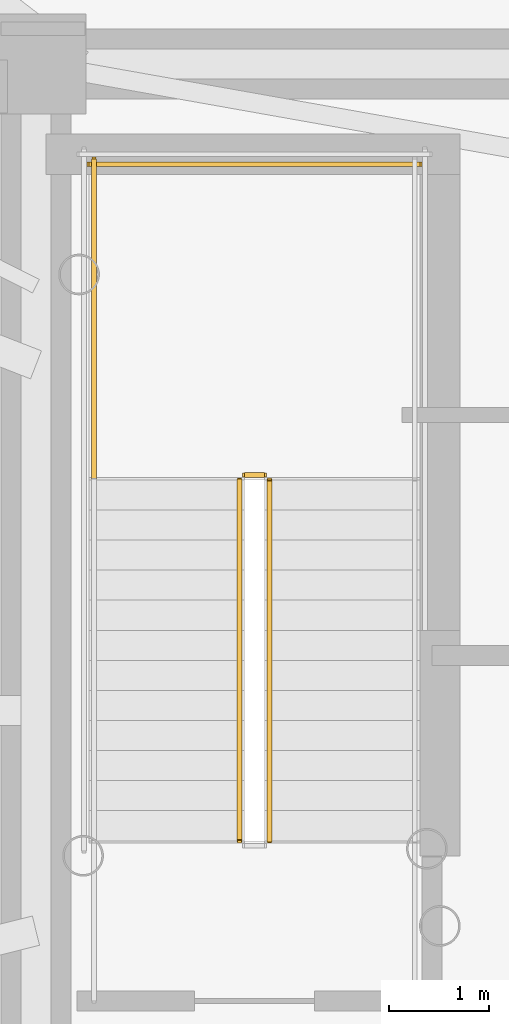
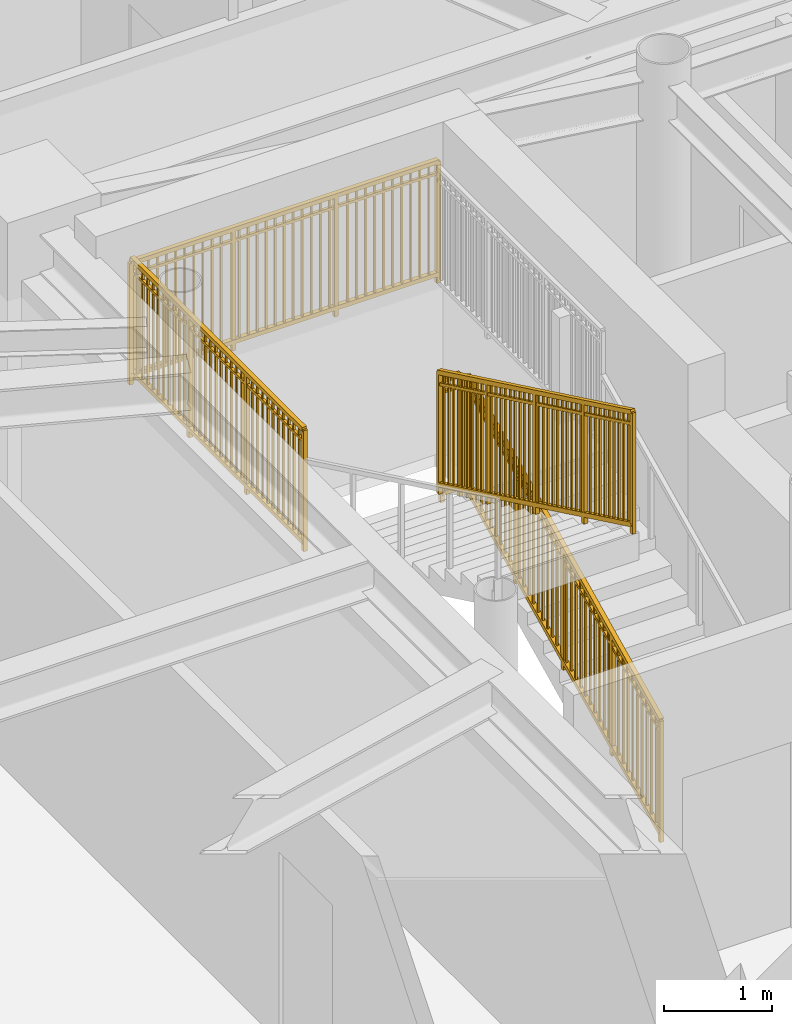
# One storey, part 15 of 18: 5 railings.
"""IFC4 building model written with IfcOpenShell, lengths in metres."""

from ifc_helpers import new_model, si_unit, direction, frame, origin, origin_2d, place, context, subcontext, project, spatial, rectangle, extrude, source, transform, mapped, material, type_object, element, save


model = new_model("IFC4")

# Units and contexts
model_context = context("Model", 3, precision=1e-05, world=origin(), true_north=direction((0.0, 1.0)))
body_context = subcontext(model_context, "Body", "Model", "MODEL_VIEW")
ifc_project = project(units=[si_unit("LENGTHUNIT", "METRE"), si_unit("AREAUNIT", "SQUARE_METRE"), si_unit("VOLUMEUNIT", "CUBIC_METRE"), si_unit("PLANEANGLEUNIT", "RADIAN"), si_unit("MASSUNIT", "GRAM", prefix="KILO")], contexts=[model_context])

# Site, building, storey
site_placement = place(None, origin())
site = spatial("IfcSite", under=ifc_project, at=site_placement, CompositionType="ELEMENT")
building_placement = place(site_placement, origin())
building = spatial("IfcBuilding", under=site, at=building_placement, Name="Linh Dai School and Residence Tower", CompositionType="ELEMENT")
storey_placement = place(building_placement, frame((0.0, 0.0, 273.0)))
storey = spatial("IfcBuildingStorey", under=building, at=storey_placement, Name="L67", CompositionType="ELEMENT", Elevation=273.0)

# Railings
ifc_material = material(Name="Structural Steel S355JR", Category="steel")
railing_type = type_object("IfcRailingType", Name="RL-ST-GUARD-1400", PredefinedType="GUARDRAIL", material=ifc_material)
shared_shape_1 = source(origin(), body_context, "Body", "SweptSolid", [
    extrude(rectangle(XDim=0.048095703125, YDim=0.048095703125, at=origin_2d()), frame((0.0, 0.0, 1.3759765625), z_axis=(-1.0, 0.0, 0.0), x_axis=(0.0, -1.0, 0.0)), (0.0, 0.0, 1.0), 0.199951171875),
    extrude(rectangle(XDim=0.048095703125, YDim=0.048095703125, at=origin_2d()), frame((0.0, 0.0, 0.10009765625), z_axis=(-1.0, 0.0, 0.0), x_axis=(0.0, -1.0, 0.0)), (0.0, 0.0, 1.0), 0.199951171875),
    extrude(rectangle(XDim=0.030029296875, YDim=0.030029296875, at=origin_2d()), frame((0.0, 0.0, 1.239990234375), z_axis=(-1.0, 0.0, 0.0), x_axis=(0.0, -1.0, 0.0)), (0.0, 0.0, 1.0), 0.199951171875),
    extrude(rectangle(XDim=0.0419921875, YDim=0.0419921875, at=origin_2d()), origin(), (0.0, 0.0, 1.0), 1.3759765625),
    extrude(rectangle(XDim=0.0419921875, YDim=0.0419921875, at=origin_2d()), frame((-0.199951171875, 0.0, 0.0)), (0.0, 0.0, 1.0), 1.3759765625),
])
railing_1_placement = place(storey_placement, frame((29.429931640625, 29.35009765625, 1.875)))
element("IfcRailing", 1, at=railing_1_placement, inside=storey, type_object=railing_type, Name="L67 ST1 stair guard 2", PredefinedType="GUARDRAIL", context=body_context, shape_type="MappedRepresentation", body=[
    mapped(shared_shape_1, transform((0.0, 0.0, 0.0), x_axis=(1.0, 0.0, 0.0), y_axis=(0.0, 1.0, 0.0), z_axis=(0.0, 0.0, 1.0), scale=1.0)),
])
shared_shape_2 = source(origin(), body_context, "Body", "SweptSolid", [
    extrude(rectangle(XDim=0.048095703125, YDim=0.048095703125, at=origin_2d()), frame((0.0, 0.0, 1.3759765625), z_axis=(-1.0, 0.0, 0.0), x_axis=(0.0, -1.0, 0.0)), (0.0, 0.0, 1.0), 3.300048828125),
    extrude(rectangle(XDim=0.048095703125, YDim=0.048095703125, at=origin_2d()), frame((0.0, 0.0, 0.10009765625), z_axis=(-1.0, 0.0, 0.0), x_axis=(0.0, -1.0, 0.0)), (0.0, 0.0, 1.0), 3.300048828125),
    extrude(rectangle(XDim=0.030029296875, YDim=0.030029296875, at=origin_2d()), frame((0.0, 0.0, 1.239990234375), z_axis=(-1.0, 0.0, 0.0), x_axis=(0.0, -1.0, 0.0)), (0.0, 0.0, 1.0), 3.300048828125),
    extrude(rectangle(XDim=0.02001953125, YDim=0.02001953125, at=origin_2d()), frame((-0.09716796875, 0.0, 0.10009765625)), (0.0, 0.0, 1.0), 1.251708984375),
    extrude(rectangle(XDim=0.02001953125, YDim=0.02001953125, at=origin_2d()), frame((-0.194091796875, 0.0, 0.10009765625)), (0.0, 0.0, 1.0), 1.251708984375),
    extrude(rectangle(XDim=0.02001953125, YDim=0.02001953125, at=origin_2d()), frame((-0.291259765625, 0.0, 0.10009765625)), (0.0, 0.0, 1.0), 1.251708984375),
    extrude(rectangle(XDim=0.02001953125, YDim=0.02001953125, at=origin_2d()), frame((-0.38818359375, 0.0, 0.10009765625)), (0.0, 0.0, 1.0), 1.251708984375),
    extrude(rectangle(XDim=0.02001953125, YDim=0.02001953125, at=origin_2d()), frame((-0.4853515625, 0.0, 0.10009765625)), (0.0, 0.0, 1.0), 1.251708984375),
    extrude(rectangle(XDim=0.02001953125, YDim=0.02001953125, at=origin_2d()), frame((-0.582275390625, 0.0, 0.10009765625)), (0.0, 0.0, 1.0), 1.251708984375),
    extrude(rectangle(XDim=0.02001953125, YDim=0.02001953125, at=origin_2d()), frame((-0.679443359375, 0.0, 0.10009765625)), (0.0, 0.0, 1.0), 1.251708984375),
    extrude(rectangle(XDim=0.02001953125, YDim=0.02001953125, at=origin_2d()), frame((-0.7763671875, 0.0, 0.10009765625)), (0.0, 0.0, 1.0), 1.251708984375),
    extrude(rectangle(XDim=0.02001953125, YDim=0.02001953125, at=origin_2d()), frame((-0.87353515625, 0.0, 0.10009765625)), (0.0, 0.0, 1.0), 1.251708984375),
    extrude(rectangle(XDim=0.02001953125, YDim=0.02001953125, at=origin_2d()), frame((-0.970703125, 0.0, 0.10009765625)), (0.0, 0.0, 1.0), 1.251708984375),
    extrude(rectangle(XDim=0.02001953125, YDim=0.02001953125, at=origin_2d()), frame((-1.164794921875, 0.0, 0.10009765625)), (0.0, 0.0, 1.0), 1.251708984375),
    extrude(rectangle(XDim=0.02001953125, YDim=0.02001953125, at=origin_2d()), frame((-1.26171875, 0.0, 0.10009765625)), (0.0, 0.0, 1.0), 1.251708984375),
    extrude(rectangle(XDim=0.02001953125, YDim=0.02001953125, at=origin_2d()), frame((-1.35888671875, 0.0, 0.10009765625)), (0.0, 0.0, 1.0), 1.251708984375),
    extrude(rectangle(XDim=0.02001953125, YDim=0.02001953125, at=origin_2d()), frame((-1.455810546875, 0.0, 0.10009765625)), (0.0, 0.0, 1.0), 1.251708984375),
    extrude(rectangle(XDim=0.02001953125, YDim=0.02001953125, at=origin_2d()), frame((-1.552978515625, 0.0, 0.10009765625)), (0.0, 0.0, 1.0), 1.251708984375),
    extrude(rectangle(XDim=0.02001953125, YDim=0.02001953125, at=origin_2d()), frame((-1.64990234375, 0.0, 0.10009765625)), (0.0, 0.0, 1.0), 1.251708984375),
    extrude(rectangle(XDim=0.02001953125, YDim=0.02001953125, at=origin_2d()), frame((-1.7470703125, 0.0, 0.10009765625)), (0.0, 0.0, 1.0), 1.251708984375),
    extrude(rectangle(XDim=0.02001953125, YDim=0.02001953125, at=origin_2d()), frame((-1.84423828125, 0.0, 0.10009765625)), (0.0, 0.0, 1.0), 1.251708984375),
    extrude(rectangle(XDim=0.02001953125, YDim=0.02001953125, at=origin_2d()), frame((-1.941162109375, 0.0, 0.10009765625)), (0.0, 0.0, 1.0), 1.251708984375),
    extrude(rectangle(XDim=0.02001953125, YDim=0.02001953125, at=origin_2d()), frame((-2.038330078125, 0.0, 0.10009765625)), (0.0, 0.0, 1.0), 1.251708984375),
    extrude(rectangle(XDim=0.02001953125, YDim=0.02001953125, at=origin_2d()), frame((-2.13525390625, 0.0, 0.10009765625)), (0.0, 0.0, 1.0), 1.251708984375),
    extrude(rectangle(XDim=0.02001953125, YDim=0.02001953125, at=origin_2d()), frame((-2.329345703125, 0.0, 0.10009765625)), (0.0, 0.0, 1.0), 1.251708984375),
    extrude(rectangle(XDim=0.02001953125, YDim=0.02001953125, at=origin_2d()), frame((-2.426513671875, 0.0, 0.10009765625)), (0.0, 0.0, 1.0), 1.251708984375),
    extrude(rectangle(XDim=0.02001953125, YDim=0.02001953125, at=origin_2d()), frame((-2.523681640625, 0.0, 0.10009765625)), (0.0, 0.0, 1.0), 1.251708984375),
    extrude(rectangle(XDim=0.02001953125, YDim=0.02001953125, at=origin_2d()), frame((-2.62060546875, 0.0, 0.10009765625)), (0.0, 0.0, 1.0), 1.251708984375),
    extrude(rectangle(XDim=0.02001953125, YDim=0.02001953125, at=origin_2d()), frame((-2.7177734375, 0.0, 0.10009765625)), (0.0, 0.0, 1.0), 1.251708984375),
    extrude(rectangle(XDim=0.02001953125, YDim=0.02001953125, at=origin_2d()), frame((-2.814697265625, 0.0, 0.10009765625)), (0.0, 0.0, 1.0), 1.251708984375),
    extrude(rectangle(XDim=0.02001953125, YDim=0.02001953125, at=origin_2d()), frame((-2.911865234375, 0.0, 0.10009765625)), (0.0, 0.0, 1.0), 1.251708984375),
    extrude(rectangle(XDim=0.02001953125, YDim=0.02001953125, at=origin_2d()), frame((-3.0087890625, 0.0, 0.10009765625)), (0.0, 0.0, 1.0), 1.251708984375),
    extrude(rectangle(XDim=0.02001953125, YDim=0.02001953125, at=origin_2d()), frame((-3.10595703125, 0.0, 0.10009765625)), (0.0, 0.0, 1.0), 1.251708984375),
    extrude(rectangle(XDim=0.02001953125, YDim=0.02001953125, at=origin_2d()), frame((-3.202880859375, 0.0, 0.10009765625)), (0.0, 0.0, 1.0), 1.251708984375),
    extrude(rectangle(XDim=0.0419921875, YDim=0.0419921875, at=origin_2d()), origin(), (0.0, 0.0, 1.0), 1.3759765625),
    extrude(rectangle(XDim=0.0419921875, YDim=0.0419921875, at=origin_2d()), frame((-1.10009765625, 0.0, 0.0)), (0.0, 0.0, 1.0), 1.3759765625),
    extrude(rectangle(XDim=0.0419921875, YDim=0.0419921875, at=origin_2d()), frame((-2.199951171875, 0.0, 0.0)), (0.0, 0.0, 1.0), 1.3759765625),
    extrude(rectangle(XDim=0.0419921875, YDim=0.0419921875, at=origin_2d()), frame((-3.300048828125, 0.0, 0.0)), (0.0, 0.0, 1.0), 1.3759765625),
])
railing_2_placement = place(storey_placement, frame((30.97998046875, 32.449951171875, 1.875)))
element("IfcRailing", 2, at=railing_2_placement, inside=storey, type_object=railing_type, Name="L67 ST1 stair guard 5", PredefinedType="GUARDRAIL", context=body_context, shape_type="MappedRepresentation", body=[
    mapped(shared_shape_2, transform((0.0, 0.0, 0.0), x_axis=(1.0, 0.0, 0.0), y_axis=(0.0, 1.0, 0.0), z_axis=(0.0, 0.0, 1.0), scale=1.0)),
])
shared_shape_3 = source(origin(), body_context, "Body", "SweptSolid", [
    extrude(rectangle(XDim=0.048095703125, YDim=0.048095703125, at=origin_2d()), frame((0.0, 0.0, 1.3759765625), z_axis=(0.0, 0.901262522062, 0.433273431364), x_axis=(-1.0, 0.0, 0.0)), (0.0, 0.0, 1.0), 3.994384765625),
    extrude(rectangle(XDim=0.048095703125, YDim=0.048095703125, at=origin_2d()), frame((0.0, 0.0, 0.10009765625), z_axis=(0.0, 0.901262522062, 0.433273431364), x_axis=(-1.0, 0.0, 0.0)), (0.0, 0.0, 1.0), 3.994384765625),
    extrude(rectangle(XDim=0.030029296875, YDim=0.030029296875, at=origin_2d()), frame((0.0, 0.0, 1.239990234375), z_axis=(0.0, 0.901262522062, 0.433273431364), x_axis=(-1.0, 0.0, 0.0)), (0.0, 0.0, 1.0), 3.994384765625),
    extrude(rectangle(XDim=0.02001953125, YDim=0.02001953125, at=origin_2d()), frame((0.0, 0.087890625, 0.142333984375)), (0.0, 0.0, 1.0), 1.251708984375),
    extrude(rectangle(XDim=0.02001953125, YDim=0.02001953125, at=origin_2d()), frame((0.0, 0.175537109375, 0.1845703125)), (0.0, 0.0, 1.0), 1.251708984375),
    extrude(rectangle(XDim=0.02001953125, YDim=0.02001953125, at=origin_2d()), frame((0.0, 0.263427734375, 0.226806640625)), (0.0, 0.0, 1.0), 1.251708984375),
    extrude(rectangle(XDim=0.02001953125, YDim=0.02001953125, at=origin_2d()), frame((0.0, 0.351318359375, 0.26904296875)), (0.0, 0.0, 1.0), 1.251708984375),
    extrude(rectangle(XDim=0.02001953125, YDim=0.02001953125, at=origin_2d()), frame((0.0, 0.43896484375, 0.311279296875)), (0.0, 0.0, 1.0), 1.251708984375),
    extrude(rectangle(XDim=0.02001953125, YDim=0.02001953125, at=origin_2d()), frame((0.0, 0.52685546875, 0.353271484375)), (0.0, 0.0, 1.0), 1.251708984375),
    extrude(rectangle(XDim=0.02001953125, YDim=0.02001953125, at=origin_2d()), frame((0.0, 0.61474609375, 0.3955078125)), (0.0, 0.0, 1.0), 1.251708984375),
    extrude(rectangle(XDim=0.02001953125, YDim=0.02001953125, at=origin_2d()), frame((0.0, 0.702392578125, 0.437744140625)), (0.0, 0.0, 1.0), 1.251708984375),
    extrude(rectangle(XDim=0.02001953125, YDim=0.02001953125, at=origin_2d()), frame((0.0, 0.790283203125, 0.47998046875)), (0.0, 0.0, 1.0), 1.251708984375),
    extrude(rectangle(XDim=0.02001953125, YDim=0.02001953125, at=origin_2d()), frame((0.0, 0.9658203125, 0.564453125)), (0.0, 0.0, 1.0), 1.251708984375),
    extrude(rectangle(XDim=0.02001953125, YDim=0.02001953125, at=origin_2d()), frame((0.0, 1.0537109375, 0.606689453125)), (0.0, 0.0, 1.0), 1.251708984375),
    extrude(rectangle(XDim=0.02001953125, YDim=0.02001953125, at=origin_2d()), frame((0.0, 1.1416015625, 0.64892578125)), (0.0, 0.0, 1.0), 1.251708984375),
    extrude(rectangle(XDim=0.02001953125, YDim=0.02001953125, at=origin_2d()), frame((0.0, 1.229248046875, 0.691162109375)), (0.0, 0.0, 1.0), 1.251708984375),
    extrude(rectangle(XDim=0.02001953125, YDim=0.02001953125, at=origin_2d()), frame((0.0, 1.317138671875, 0.7333984375)), (0.0, 0.0, 1.0), 1.251708984375),
    extrude(rectangle(XDim=0.02001953125, YDim=0.02001953125, at=origin_2d()), frame((0.0, 1.405029296875, 0.775390625)), (0.0, 0.0, 1.0), 1.251708984375),
    extrude(rectangle(XDim=0.02001953125, YDim=0.02001953125, at=origin_2d()), frame((0.0, 1.49267578125, 0.817626953125)), (0.0, 0.0, 1.0), 1.251708984375),
    extrude(rectangle(XDim=0.02001953125, YDim=0.02001953125, at=origin_2d()), frame((0.0, 1.58056640625, 0.85986328125)), (0.0, 0.0, 1.0), 1.251708984375),
    extrude(rectangle(XDim=0.02001953125, YDim=0.02001953125, at=origin_2d()), frame((0.0, 1.66845703125, 0.902099609375)), (0.0, 0.0, 1.0), 1.251708984375),
    extrude(rectangle(XDim=0.02001953125, YDim=0.02001953125, at=origin_2d()), frame((0.0, 1.756103515625, 0.9443359375)), (0.0, 0.0, 1.0), 1.251708984375),
    extrude(rectangle(XDim=0.02001953125, YDim=0.02001953125, at=origin_2d()), frame((0.0, 1.843994140625, 0.986572265625)), (0.0, 0.0, 1.0), 1.251708984375),
    extrude(rectangle(XDim=0.02001953125, YDim=0.02001953125, at=origin_2d()), frame((0.0, 1.931640625, 1.02880859375)), (0.0, 0.0, 1.0), 1.251708984375),
    extrude(rectangle(XDim=0.02001953125, YDim=0.02001953125, at=origin_2d()), frame((0.0, 2.01953125, 1.071044921875)), (0.0, 0.0, 1.0), 1.251708984375),
    extrude(rectangle(XDim=0.02001953125, YDim=0.02001953125, at=origin_2d()), frame((0.0, 2.107421875, 1.11328125)), (0.0, 0.0, 1.0), 1.251708984375),
    extrude(rectangle(XDim=0.02001953125, YDim=0.02001953125, at=origin_2d()), frame((0.0, 2.195068359375, 1.155517578125)), (0.0, 0.0, 1.0), 1.251708984375),
    extrude(rectangle(XDim=0.02001953125, YDim=0.02001953125, at=origin_2d()), frame((0.0, 2.282958984375, 1.197509765625)), (0.0, 0.0, 1.0), 1.251708984375),
    extrude(rectangle(XDim=0.02001953125, YDim=0.02001953125, at=origin_2d()), frame((0.0, 2.370849609375, 1.23974609375)), (0.0, 0.0, 1.0), 1.251708984375),
    extrude(rectangle(XDim=0.02001953125, YDim=0.02001953125, at=origin_2d()), frame((0.0, 2.45849609375, 1.281982421875)), (0.0, 0.0, 1.0), 1.251708984375),
    extrude(rectangle(XDim=0.02001953125, YDim=0.02001953125, at=origin_2d()), frame((0.0, 2.54638671875, 1.32421875)), (0.0, 0.0, 1.0), 1.251708984375),
    extrude(rectangle(XDim=0.02001953125, YDim=0.02001953125, at=origin_2d()), frame((0.0, 2.63427734375, 1.366455078125)), (0.0, 0.0, 1.0), 1.251708984375),
    extrude(rectangle(XDim=0.02001953125, YDim=0.02001953125, at=origin_2d()), frame((0.0, 2.809814453125, 1.450927734375)), (0.0, 0.0, 1.0), 1.251708984375),
    extrude(rectangle(XDim=0.02001953125, YDim=0.02001953125, at=origin_2d()), frame((0.0, 2.897705078125, 1.4931640625)), (0.0, 0.0, 1.0), 1.251708984375),
    extrude(rectangle(XDim=0.02001953125, YDim=0.02001953125, at=origin_2d()), frame((0.0, 2.9853515625, 1.535400390625)), (0.0, 0.0, 1.0), 1.251708984375),
    extrude(rectangle(XDim=0.02001953125, YDim=0.02001953125, at=origin_2d()), frame((0.0, 3.0732421875, 1.57763671875)), (0.0, 0.0, 1.0), 1.251708984375),
    extrude(rectangle(XDim=0.02001953125, YDim=0.02001953125, at=origin_2d()), frame((0.0, 3.1611328125, 1.61962890625)), (0.0, 0.0, 1.0), 1.251708984375),
    extrude(rectangle(XDim=0.02001953125, YDim=0.02001953125, at=origin_2d()), frame((0.0, 3.248779296875, 1.661865234375)), (0.0, 0.0, 1.0), 1.251708984375),
    extrude(rectangle(XDim=0.02001953125, YDim=0.02001953125, at=origin_2d()), frame((0.0, 3.336669921875, 1.7041015625)), (0.0, 0.0, 1.0), 1.251708984375),
    extrude(rectangle(XDim=0.02001953125, YDim=0.02001953125, at=origin_2d()), frame((0.0, 3.424560546875, 1.746337890625)), (0.0, 0.0, 1.0), 1.251708984375),
    extrude(rectangle(XDim=0.02001953125, YDim=0.02001953125, at=origin_2d()), frame((0.0, 3.51220703125, 1.78857421875)), (0.0, 0.0, 1.0), 1.251708984375),
    extrude(rectangle(XDim=0.0419921875, YDim=0.0419921875, at=origin_2d()), origin(), (0.0, 0.0, 1.0), 1.3759765625),
    extrude(rectangle(XDim=0.0419921875, YDim=0.0419921875, at=origin_2d()), frame((0.0, 0.89990234375, 0.4326171875)), (0.0, 0.0, 1.0), 1.3759765625),
    extrude(rectangle(XDim=0.0419921875, YDim=0.0419921875, at=origin_2d()), frame((0.0, 1.800048828125, 0.865234375)), (0.0, 0.0, 1.0), 1.3759765625),
    extrude(rectangle(XDim=0.0419921875, YDim=0.0419921875, at=origin_2d()), frame((0.0, 2.7001953125, 1.298095703125)), (0.0, 0.0, 1.0), 1.3759765625),
    extrude(rectangle(XDim=0.0419921875, YDim=0.0419921875, at=origin_2d()), frame((0.0, 3.60009765625, 1.730712890625)), (0.0, 0.0, 1.0), 1.3759765625),
])
railing_3_placement = place(storey_placement, frame((29.47998046875, 25.699951171875, 0.144287109375)))
element("IfcRailing", 3, at=railing_3_placement, inside=storey, type_object=railing_type, Name="L67 ST1 stair guard 1", PredefinedType="GUARDRAIL", context=body_context, shape_type="MappedRepresentation", body=[
    mapped(shared_shape_3, transform((0.0, 0.0, 0.0), x_axis=(1.0, 0.0, 0.0), y_axis=(0.0, 1.0, 0.0), z_axis=(0.0, 0.0, 1.0), scale=1.0)),
])
shared_shape_4 = source(origin(), body_context, "Body", "SweptSolid", [
    extrude(rectangle(XDim=0.048095703125, YDim=0.048095703125, at=origin_2d()), frame((0.0, 0.0, 1.3759765625), z_axis=(0.0, 1.0, 0.0), x_axis=(-1.0, 0.0, 0.0)), (0.0, 0.0, 1.0), 3.199951171875),
    extrude(rectangle(XDim=0.048095703125, YDim=0.048095703125, at=origin_2d()), frame((0.0, 0.0, 0.10009765625), z_axis=(0.0, 1.0, 0.0), x_axis=(-1.0, 0.0, 0.0)), (0.0, 0.0, 1.0), 3.199951171875),
    extrude(rectangle(XDim=0.030029296875, YDim=0.030029296875, at=origin_2d()), frame((0.0, 0.0, 1.239990234375), z_axis=(0.0, 1.0, 0.0), x_axis=(-1.0, 0.0, 0.0)), (0.0, 0.0, 1.0), 3.199951171875),
    extrude(rectangle(XDim=0.02001953125, YDim=0.02001953125, at=origin_2d()), frame((0.0, 0.096923828125, 0.10009765625)), (0.0, 0.0, 1.0), 1.251708984375),
    extrude(rectangle(XDim=0.02001953125, YDim=0.02001953125, at=origin_2d()), frame((0.0, 0.19384765625, 0.10009765625)), (0.0, 0.0, 1.0), 1.251708984375),
    extrude(rectangle(XDim=0.02001953125, YDim=0.02001953125, at=origin_2d()), frame((0.0, 0.291015625, 0.10009765625)), (0.0, 0.0, 1.0), 1.251708984375),
    extrude(rectangle(XDim=0.02001953125, YDim=0.02001953125, at=origin_2d()), frame((0.0, 0.387939453125, 0.10009765625)), (0.0, 0.0, 1.0), 1.251708984375),
    extrude(rectangle(XDim=0.02001953125, YDim=0.02001953125, at=origin_2d()), frame((0.0, 0.48486328125, 0.10009765625)), (0.0, 0.0, 1.0), 1.251708984375),
    extrude(rectangle(XDim=0.02001953125, YDim=0.02001953125, at=origin_2d()), frame((0.0, 0.581787109375, 0.10009765625)), (0.0, 0.0, 1.0), 1.251708984375),
    extrude(rectangle(XDim=0.02001953125, YDim=0.02001953125, at=origin_2d()), frame((0.0, 0.6787109375, 0.10009765625)), (0.0, 0.0, 1.0), 1.251708984375),
    extrude(rectangle(XDim=0.02001953125, YDim=0.02001953125, at=origin_2d()), frame((0.0, 0.775634765625, 0.10009765625)), (0.0, 0.0, 1.0), 1.251708984375),
    extrude(rectangle(XDim=0.02001953125, YDim=0.02001953125, at=origin_2d()), frame((0.0, 0.872802734375, 0.10009765625)), (0.0, 0.0, 1.0), 1.251708984375),
    extrude(rectangle(XDim=0.02001953125, YDim=0.02001953125, at=origin_2d()), frame((0.0, 0.9697265625, 0.10009765625)), (0.0, 0.0, 1.0), 1.251708984375),
    extrude(rectangle(XDim=0.02001953125, YDim=0.02001953125, at=origin_2d()), frame((0.0, 1.16357421875, 0.10009765625)), (0.0, 0.0, 1.0), 1.251708984375),
    extrude(rectangle(XDim=0.02001953125, YDim=0.02001953125, at=origin_2d()), frame((0.0, 1.260498046875, 0.10009765625)), (0.0, 0.0, 1.0), 1.251708984375),
    extrude(rectangle(XDim=0.02001953125, YDim=0.02001953125, at=origin_2d()), frame((0.0, 1.357666015625, 0.10009765625)), (0.0, 0.0, 1.0), 1.251708984375),
    extrude(rectangle(XDim=0.02001953125, YDim=0.02001953125, at=origin_2d()), frame((0.0, 1.45458984375, 0.10009765625)), (0.0, 0.0, 1.0), 1.251708984375),
    extrude(rectangle(XDim=0.02001953125, YDim=0.02001953125, at=origin_2d()), frame((0.0, 1.551513671875, 0.10009765625)), (0.0, 0.0, 1.0), 1.251708984375),
    extrude(rectangle(XDim=0.02001953125, YDim=0.02001953125, at=origin_2d()), frame((0.0, 1.6484375, 0.10009765625)), (0.0, 0.0, 1.0), 1.251708984375),
    extrude(rectangle(XDim=0.02001953125, YDim=0.02001953125, at=origin_2d()), frame((0.0, 1.745361328125, 0.10009765625)), (0.0, 0.0, 1.0), 1.251708984375),
    extrude(rectangle(XDim=0.02001953125, YDim=0.02001953125, at=origin_2d()), frame((0.0, 1.84228515625, 0.10009765625)), (0.0, 0.0, 1.0), 1.251708984375),
    extrude(rectangle(XDim=0.02001953125, YDim=0.02001953125, at=origin_2d()), frame((0.0, 1.939453125, 0.10009765625)), (0.0, 0.0, 1.0), 1.251708984375),
    extrude(rectangle(XDim=0.02001953125, YDim=0.02001953125, at=origin_2d()), frame((0.0, 2.036376953125, 0.10009765625)), (0.0, 0.0, 1.0), 1.251708984375),
    extrude(rectangle(XDim=0.02001953125, YDim=0.02001953125, at=origin_2d()), frame((0.0, 2.230224609375, 0.10009765625)), (0.0, 0.0, 1.0), 1.251708984375),
    extrude(rectangle(XDim=0.02001953125, YDim=0.02001953125, at=origin_2d()), frame((0.0, 2.3271484375, 0.10009765625)), (0.0, 0.0, 1.0), 1.251708984375),
    extrude(rectangle(XDim=0.02001953125, YDim=0.02001953125, at=origin_2d()), frame((0.0, 2.42431640625, 0.10009765625)), (0.0, 0.0, 1.0), 1.251708984375),
    extrude(rectangle(XDim=0.02001953125, YDim=0.02001953125, at=origin_2d()), frame((0.0, 2.521240234375, 0.10009765625)), (0.0, 0.0, 1.0), 1.251708984375),
    extrude(rectangle(XDim=0.02001953125, YDim=0.02001953125, at=origin_2d()), frame((0.0, 2.6181640625, 0.10009765625)), (0.0, 0.0, 1.0), 1.251708984375),
    extrude(rectangle(XDim=0.02001953125, YDim=0.02001953125, at=origin_2d()), frame((0.0, 2.715087890625, 0.10009765625)), (0.0, 0.0, 1.0), 1.251708984375),
    extrude(rectangle(XDim=0.02001953125, YDim=0.02001953125, at=origin_2d()), frame((0.0, 2.81201171875, 0.10009765625)), (0.0, 0.0, 1.0), 1.251708984375),
    extrude(rectangle(XDim=0.02001953125, YDim=0.02001953125, at=origin_2d()), frame((0.0, 2.908935546875, 0.10009765625)), (0.0, 0.0, 1.0), 1.251708984375),
    extrude(rectangle(XDim=0.02001953125, YDim=0.02001953125, at=origin_2d()), frame((0.0, 3.006103515625, 0.10009765625)), (0.0, 0.0, 1.0), 1.251708984375),
    extrude(rectangle(XDim=0.02001953125, YDim=0.02001953125, at=origin_2d()), frame((0.0, 3.10302734375, 0.10009765625)), (0.0, 0.0, 1.0), 1.251708984375),
    extrude(rectangle(XDim=0.0419921875, YDim=0.0419921875, at=origin_2d()), origin(), (0.0, 0.0, 1.0), 1.3759765625),
    extrude(rectangle(XDim=0.0419921875, YDim=0.0419921875, at=origin_2d()), frame((0.0, 1.066650390625, 0.0)), (0.0, 0.0, 1.0), 1.3759765625),
    extrude(rectangle(XDim=0.0419921875, YDim=0.0419921875, at=origin_2d()), frame((0.0, 2.13330078125, 0.0)), (0.0, 0.0, 1.0), 1.3759765625),
    extrude(rectangle(XDim=0.0419921875, YDim=0.0419921875, at=origin_2d()), frame((0.0, 3.199951171875, 0.0)), (0.0, 0.0, 1.0), 1.3759765625),
])
railing_4_placement = place(storey_placement, frame((27.72998046875, 29.300048828125, 1.875)))
element("IfcRailing", 4, at=railing_4_placement, inside=storey, type_object=railing_type, Name="L67 ST1 stair guard 4", PredefinedType="GUARDRAIL", context=body_context, shape_type="MappedRepresentation", body=[
    mapped(shared_shape_4, transform((0.0, 0.0, 0.0), x_axis=(1.0, 0.0, 0.0), y_axis=(0.0, 1.0, 0.0), z_axis=(0.0, 0.0, 1.0), scale=1.0)),
])
shared_shape_5 = source(origin(), body_context, "Body", "SweptSolid", [
    extrude(rectangle(XDim=0.048095703125, YDim=0.048095703125, at=origin_2d()), frame((0.0, 0.0, 1.3759765625), z_axis=(0.0, -0.901262522062, 0.433273431364), x_axis=(1.0, 0.0, 0.0)), (0.0, 0.0, 1.0), 3.994384765625),
    extrude(rectangle(XDim=0.048095703125, YDim=0.048095703125, at=origin_2d()), frame((0.0, 0.0, 0.10009765625), z_axis=(0.0, -0.901262522062, 0.433273431364), x_axis=(1.0, 0.0, 0.0)), (0.0, 0.0, 1.0), 3.994384765625),
    extrude(rectangle(XDim=0.030029296875, YDim=0.030029296875, at=origin_2d()), frame((0.0, 0.0, 1.239990234375), z_axis=(0.0, -0.901262522062, 0.433273431364), x_axis=(1.0, 0.0, 0.0)), (0.0, 0.0, 1.0), 3.994384765625),
    extrude(rectangle(XDim=0.02001953125, YDim=0.02001953125, at=origin_2d()), frame((0.0, -0.087890625, 0.142333984375)), (0.0, 0.0, 1.0), 1.251708984375),
    extrude(rectangle(XDim=0.02001953125, YDim=0.02001953125, at=origin_2d()), frame((0.0, -0.175537109375, 0.1845703125)), (0.0, 0.0, 1.0), 1.251708984375),
    extrude(rectangle(XDim=0.02001953125, YDim=0.02001953125, at=origin_2d()), frame((0.0, -0.263427734375, 0.226806640625)), (0.0, 0.0, 1.0), 1.251708984375),
    extrude(rectangle(XDim=0.02001953125, YDim=0.02001953125, at=origin_2d()), frame((0.0, -0.351318359375, 0.26904296875)), (0.0, 0.0, 1.0), 1.251708984375),
    extrude(rectangle(XDim=0.02001953125, YDim=0.02001953125, at=origin_2d()), frame((0.0, -0.43896484375, 0.311279296875)), (0.0, 0.0, 1.0), 1.251708984375),
    extrude(rectangle(XDim=0.02001953125, YDim=0.02001953125, at=origin_2d()), frame((0.0, -0.52685546875, 0.353271484375)), (0.0, 0.0, 1.0), 1.251708984375),
    extrude(rectangle(XDim=0.02001953125, YDim=0.02001953125, at=origin_2d()), frame((0.0, -0.61474609375, 0.3955078125)), (0.0, 0.0, 1.0), 1.251708984375),
    extrude(rectangle(XDim=0.02001953125, YDim=0.02001953125, at=origin_2d()), frame((0.0, -0.702392578125, 0.437744140625)), (0.0, 0.0, 1.0), 1.251708984375),
    extrude(rectangle(XDim=0.02001953125, YDim=0.02001953125, at=origin_2d()), frame((0.0, -0.790283203125, 0.47998046875)), (0.0, 0.0, 1.0), 1.251708984375),
    extrude(rectangle(XDim=0.02001953125, YDim=0.02001953125, at=origin_2d()), frame((0.0, -0.9658203125, 0.564453125)), (0.0, 0.0, 1.0), 1.251708984375),
    extrude(rectangle(XDim=0.02001953125, YDim=0.02001953125, at=origin_2d()), frame((0.0, -1.0537109375, 0.606689453125)), (0.0, 0.0, 1.0), 1.251708984375),
    extrude(rectangle(XDim=0.02001953125, YDim=0.02001953125, at=origin_2d()), frame((0.0, -1.1416015625, 0.64892578125)), (0.0, 0.0, 1.0), 1.251708984375),
    extrude(rectangle(XDim=0.02001953125, YDim=0.02001953125, at=origin_2d()), frame((0.0, -1.229248046875, 0.691162109375)), (0.0, 0.0, 1.0), 1.251708984375),
    extrude(rectangle(XDim=0.02001953125, YDim=0.02001953125, at=origin_2d()), frame((0.0, -1.317138671875, 0.7333984375)), (0.0, 0.0, 1.0), 1.251708984375),
    extrude(rectangle(XDim=0.02001953125, YDim=0.02001953125, at=origin_2d()), frame((0.0, -1.405029296875, 0.775390625)), (0.0, 0.0, 1.0), 1.251708984375),
    extrude(rectangle(XDim=0.02001953125, YDim=0.02001953125, at=origin_2d()), frame((0.0, -1.49267578125, 0.817626953125)), (0.0, 0.0, 1.0), 1.251708984375),
    extrude(rectangle(XDim=0.02001953125, YDim=0.02001953125, at=origin_2d()), frame((0.0, -1.58056640625, 0.85986328125)), (0.0, 0.0, 1.0), 1.251708984375),
    extrude(rectangle(XDim=0.02001953125, YDim=0.02001953125, at=origin_2d()), frame((0.0, -1.66845703125, 0.902099609375)), (0.0, 0.0, 1.0), 1.251708984375),
    extrude(rectangle(XDim=0.02001953125, YDim=0.02001953125, at=origin_2d()), frame((0.0, -1.756103515625, 0.9443359375)), (0.0, 0.0, 1.0), 1.251708984375),
    extrude(rectangle(XDim=0.02001953125, YDim=0.02001953125, at=origin_2d()), frame((0.0, -1.843994140625, 0.986572265625)), (0.0, 0.0, 1.0), 1.251708984375),
    extrude(rectangle(XDim=0.02001953125, YDim=0.02001953125, at=origin_2d()), frame((0.0, -1.931640625, 1.02880859375)), (0.0, 0.0, 1.0), 1.251708984375),
    extrude(rectangle(XDim=0.02001953125, YDim=0.02001953125, at=origin_2d()), frame((0.0, -2.01953125, 1.071044921875)), (0.0, 0.0, 1.0), 1.251708984375),
    extrude(rectangle(XDim=0.02001953125, YDim=0.02001953125, at=origin_2d()), frame((0.0, -2.107421875, 1.11328125)), (0.0, 0.0, 1.0), 1.251708984375),
    extrude(rectangle(XDim=0.02001953125, YDim=0.02001953125, at=origin_2d()), frame((0.0, -2.195068359375, 1.155517578125)), (0.0, 0.0, 1.0), 1.251708984375),
    extrude(rectangle(XDim=0.02001953125, YDim=0.02001953125, at=origin_2d()), frame((0.0, -2.282958984375, 1.197509765625)), (0.0, 0.0, 1.0), 1.251708984375),
    extrude(rectangle(XDim=0.02001953125, YDim=0.02001953125, at=origin_2d()), frame((0.0, -2.370849609375, 1.23974609375)), (0.0, 0.0, 1.0), 1.251708984375),
    extrude(rectangle(XDim=0.02001953125, YDim=0.02001953125, at=origin_2d()), frame((0.0, -2.45849609375, 1.281982421875)), (0.0, 0.0, 1.0), 1.251708984375),
    extrude(rectangle(XDim=0.02001953125, YDim=0.02001953125, at=origin_2d()), frame((0.0, -2.54638671875, 1.32421875)), (0.0, 0.0, 1.0), 1.251708984375),
    extrude(rectangle(XDim=0.02001953125, YDim=0.02001953125, at=origin_2d()), frame((0.0, -2.63427734375, 1.366455078125)), (0.0, 0.0, 1.0), 1.251708984375),
    extrude(rectangle(XDim=0.02001953125, YDim=0.02001953125, at=origin_2d()), frame((0.0, -2.809814453125, 1.450927734375)), (0.0, 0.0, 1.0), 1.251708984375),
    extrude(rectangle(XDim=0.02001953125, YDim=0.02001953125, at=origin_2d()), frame((0.0, -2.897705078125, 1.4931640625)), (0.0, 0.0, 1.0), 1.251708984375),
    extrude(rectangle(XDim=0.02001953125, YDim=0.02001953125, at=origin_2d()), frame((0.0, -2.9853515625, 1.535400390625)), (0.0, 0.0, 1.0), 1.251708984375),
    extrude(rectangle(XDim=0.02001953125, YDim=0.02001953125, at=origin_2d()), frame((0.0, -3.0732421875, 1.57763671875)), (0.0, 0.0, 1.0), 1.251708984375),
    extrude(rectangle(XDim=0.02001953125, YDim=0.02001953125, at=origin_2d()), frame((0.0, -3.1611328125, 1.61962890625)), (0.0, 0.0, 1.0), 1.251708984375),
    extrude(rectangle(XDim=0.02001953125, YDim=0.02001953125, at=origin_2d()), frame((0.0, -3.248779296875, 1.661865234375)), (0.0, 0.0, 1.0), 1.251708984375),
    extrude(rectangle(XDim=0.02001953125, YDim=0.02001953125, at=origin_2d()), frame((0.0, -3.336669921875, 1.7041015625)), (0.0, 0.0, 1.0), 1.251708984375),
    extrude(rectangle(XDim=0.02001953125, YDim=0.02001953125, at=origin_2d()), frame((0.0, -3.424560546875, 1.746337890625)), (0.0, 0.0, 1.0), 1.251708984375),
    extrude(rectangle(XDim=0.02001953125, YDim=0.02001953125, at=origin_2d()), frame((0.0, -3.51220703125, 1.78857421875)), (0.0, 0.0, 1.0), 1.251708984375),
    extrude(rectangle(XDim=0.0419921875, YDim=0.0419921875, at=origin_2d()), origin(), (0.0, 0.0, 1.0), 1.3759765625),
    extrude(rectangle(XDim=0.0419921875, YDim=0.0419921875, at=origin_2d()), frame((0.0, -0.89990234375, 0.4326171875)), (0.0, 0.0, 1.0), 1.3759765625),
    extrude(rectangle(XDim=0.0419921875, YDim=0.0419921875, at=origin_2d()), frame((0.0, -1.800048828125, 0.865234375)), (0.0, 0.0, 1.0), 1.3759765625),
    extrude(rectangle(XDim=0.0419921875, YDim=0.0419921875, at=origin_2d()), frame((0.0, -2.7001953125, 1.298095703125)), (0.0, 0.0, 1.0), 1.3759765625),
    extrude(rectangle(XDim=0.0419921875, YDim=0.0419921875, at=origin_2d()), frame((0.0, -3.60009765625, 1.730712890625)), (0.0, 0.0, 1.0), 1.3759765625),
])
railing_5_placement = place(storey_placement, frame((29.179931640625, 29.300048828125, 2.019287109375)))
element("IfcRailing", 5, at=railing_5_placement, inside=storey, type_object=railing_type, Name="L67 ST1 stair guard 6", PredefinedType="GUARDRAIL", context=body_context, shape_type="MappedRepresentation", body=[
    mapped(shared_shape_5, transform((0.0, 0.0, 0.0), x_axis=(1.0, 0.0, 0.0), y_axis=(0.0, 1.0, 0.0), z_axis=(0.0, 0.0, 1.0), scale=1.0)),
])

save(model, "model.ifc")
